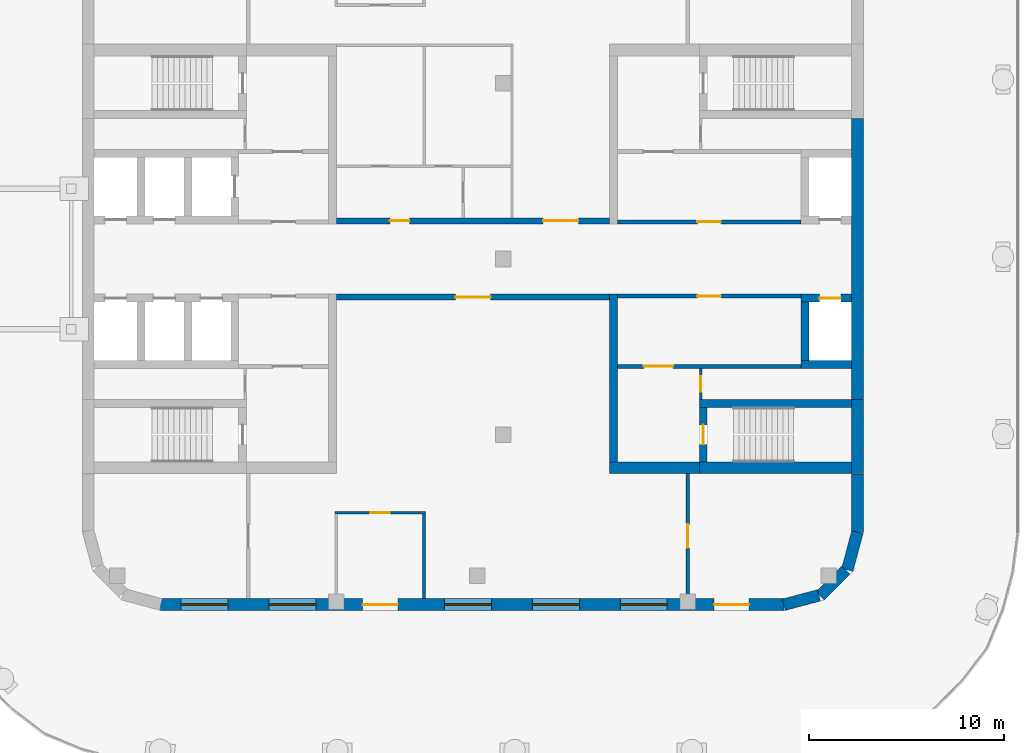
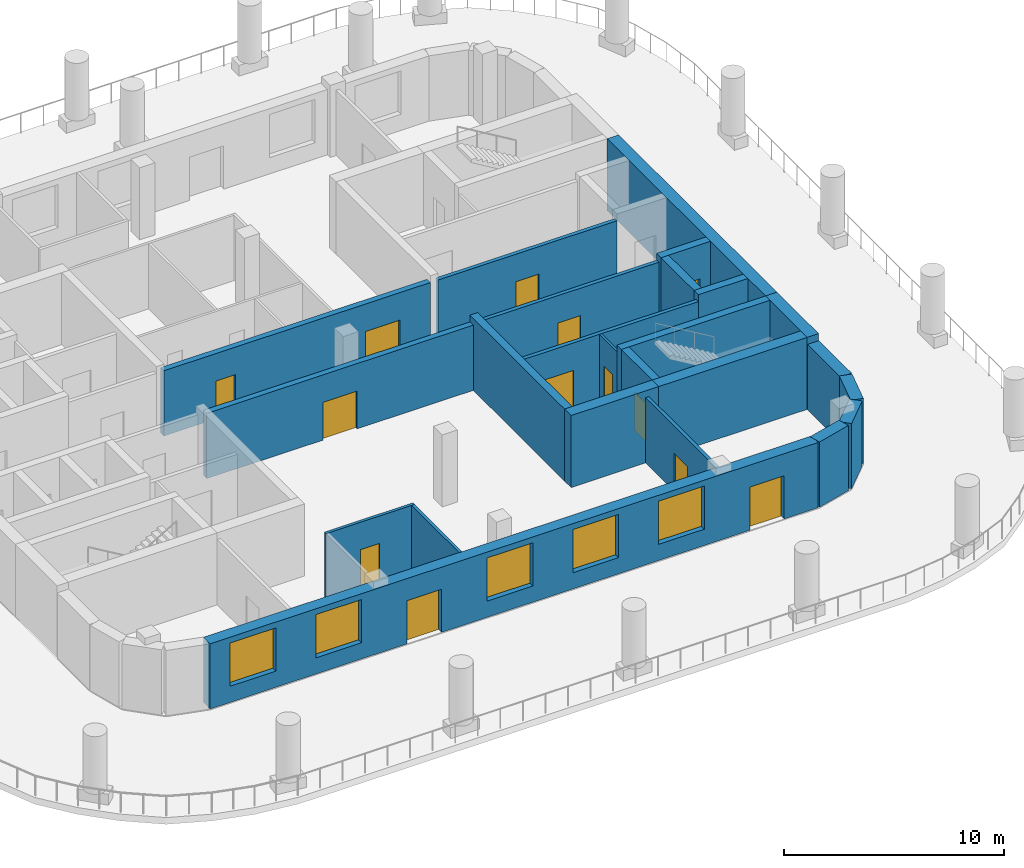
# One storey, part 10 of 18: 24 walls, 13 doors, 5 windows, 18 openings.
"""IFC4 building model written with IfcOpenShell, lengths in metres."""

from ifc_helpers import new_model, si_unit, direction, frame, frame_2d, origin, place, context, subcontext, project, spatial, rectangle, extrude, material, layer, layer_set, type_object, element, fill, save


model = new_model("IFC4")

# Units and contexts
model_context = context("Model", 3, precision=1e-05, world=origin(), true_north=direction((0.0, 1.0)))
body_context = subcontext(model_context, "Body", "Model", "MODEL_VIEW")
ifc_project = project(units=[si_unit("LENGTHUNIT", "METRE"), si_unit("AREAUNIT", "SQUARE_METRE"), si_unit("VOLUMEUNIT", "CUBIC_METRE"), si_unit("PLANEANGLEUNIT", "RADIAN"), si_unit("MASSUNIT", "GRAM", prefix="KILO")], contexts=[model_context])

# Site, building, storey
site_placement = place(None, origin())
site = spatial("IfcSite", under=ifc_project, at=site_placement, CompositionType="ELEMENT")
building_placement = place(site_placement, origin())
building = spatial("IfcBuilding", under=site, at=building_placement, Name="Skarvind Civic Tower", CompositionType="ELEMENT")
storey_placement = place(building_placement, frame((0.0, 0.0, 27.5)))
storey = spatial("IfcBuildingStorey", under=building, at=storey_placement, Name="L05", CompositionType="ELEMENT", Elevation=27.5)

# Wall, opening, door
ifc_material_1 = material(Name="Acoustic gypsum board on steel studs", Category="steel")
ifc_layer_1 = layer(ifc_material_1, 0.175048828125)
ifc_layer_set_1 = layer_set([ifc_layer_1], Name="ACOUSTIC MEETING-ROOM PARTITION 175")
wall_type_1 = type_object("IfcWallType", Name="ACOUSTIC MEETING-ROOM PARTITION 175", PredefinedType="PARTITIONING", material=ifc_layer_set_1)
wall_1_placement = place(storey_placement, frame((158.0, 110.60009765625, 0.0), z_axis=(0.0, 0.0, 1.0), x_axis=(0.0, 1.0, 0.0)))
wall_1 = element("IfcWall", 1, at=wall_1_placement, inside=storey, type_object=wall_type_1, Name="Partition 05.016", PredefinedType="PARTITIONING", context=body_context, shape_type="SweptSolid", body=[
    extrude(rectangle(XDim=6.39990234375, YDim=0.175048828125, at=frame_2d((3.199951171875, 0.0))), origin(), (0.0, 0.0, 1.0), 3.625),
])
opening_1_placement = place(wall_1_placement, frame((2.60009765625, 0.0, 0.0)))
opening_1 = element("IfcOpeningElement", 2, at=opening_1_placement, cuts=wall_1, Name="Opening L05-D112", PredefinedType="OPENING", context=body_context, shape_type="SweptSolid", body=[
    extrude(rectangle(XDim=1.199951171875, YDim=2.10009765625, at=frame_2d((0.60009765625, 1.050048828125))), frame((0.0, 0.097412109375, 0.0), z_axis=(0.0, -1.0, 0.0), x_axis=(1.0, 0.0, 0.0)), (0.0, 0.0, 1.0), 0.195068359375),
])
ifc_material_2 = material(Name="Timber door leaf", Category="wood")
door_type_1 = type_object("IfcDoorType", Name="DOOR 1200X2100 DOUBLE TIMBER", OperationType="NOTDEFINED", PredefinedType="DOOR", material=ifc_material_2)
door_1_placement = place(opening_1_placement, origin())
door_1 = element("IfcDoor", 3, at=door_1_placement, inside=storey, type_object=door_type_1, Name="Door L05-D112", OperationType="DOUBLE_DOOR_SINGLE_SWING", OverallHeight=2.10009765625, OverallWidth=1.199951171875, PredefinedType="DOOR", context=body_context, shape_type="SweptSolid", body=[
    extrude(rectangle(XDim=1.199951171875, YDim=2.10009765625, at=frame_2d((0.60009765625, 1.050048828125))), frame((0.0, 0.02490234375, 0.0), z_axis=(0.0, -1.0, 0.0), x_axis=(1.0, 0.0, 0.0)), (0.0, 0.0, 1.0), 0.050048828125),
])
fill(opening_1, door_1)

# Wall, openings, doors
ifc_material_3 = material(Name="Fire-rated gypsum board on steel studs", Category="steel")
ifc_layer_2 = layer(ifc_material_3, 0.300048828125)
ifc_layer_set_2 = layer_set([ifc_layer_2], Name="CORRIDOR WALL 300")
wall_type_2 = type_object("IfcWallType", Name="CORRIDOR WALL 300", PredefinedType="PARTITIONING", material=ifc_layer_set_2)
wall_2_placement = place(storey_placement, frame((140.0, 129.949951171875, 0.0), z_axis=(0.0, 0.0, 1.0), x_axis=(1.0, 0.0, 0.0)))
wall_2 = element("IfcWall", 4, at=wall_2_placement, inside=storey, type_object=wall_type_2, Name="Partition 05.005", PredefinedType="PARTITIONING", context=body_context, shape_type="SweptSolid", body=[
    extrude(rectangle(XDim=14.0, YDim=0.300048828125, at=frame_2d((7.0, 0.0))), origin(), (0.0, 0.0, 1.0), 3.625),
])
opening_2_placement = place(wall_2_placement, frame((2.75, 0.0, 0.0)))
opening_2 = element("IfcOpeningElement", 5, at=opening_2_placement, cuts=wall_2, Name="Opening L05-D101", PredefinedType="OPENING", context=body_context, shape_type="SweptSolid", body=[
    extrude(rectangle(XDim=1.0, YDim=2.10009765625, at=frame_2d((0.5, 1.050048828125))), frame((0.0, 0.159912109375, 0.0), z_axis=(0.0, -1.0, 0.0), x_axis=(1.0, 0.0, 0.0)), (0.0, 0.0, 1.0), 0.320068359375),
])
opening_3_placement = place(wall_2_placement, frame((10.60009765625, 0.0, 0.0)))
opening_3 = element("IfcOpeningElement", 6, at=opening_3_placement, cuts=wall_2, Name="Opening L05-D105", PredefinedType="OPENING", context=body_context, shape_type="SweptSolid", body=[
    extrude(rectangle(XDim=1.800048828125, YDim=2.10009765625, at=frame_2d((0.89990234375, 1.050048828125))), frame((0.0, 0.159912109375, 0.0), z_axis=(0.0, -1.0, 0.0), x_axis=(1.0, 0.0, 0.0)), (0.0, 0.0, 1.0), 0.320068359375),
])
ifc_material_4 = material(Name="Fire-rated timber door leaf", Category="wood")
door_type_2 = type_object("IfcDoorType", Name="FD1 1000x2100", OperationType="NOTDEFINED", PredefinedType="DOOR", material=ifc_material_4)
door_2_placement = place(opening_2_placement, origin())
door_2 = element("IfcDoor", 7, at=door_2_placement, inside=storey, type_object=door_type_2, Name="Door L05-D101", OperationType="SINGLE_SWING_LEFT", OverallHeight=2.10009765625, OverallWidth=1.0, PredefinedType="DOOR", context=body_context, shape_type="SweptSolid", body=[
    extrude(rectangle(XDim=1.0, YDim=2.10009765625, at=frame_2d((0.5, 1.050048828125))), frame((0.0, 0.02490234375, 0.0), z_axis=(0.0, -1.0, 0.0), x_axis=(1.0, 0.0, 0.0)), (0.0, 0.0, 1.0), 0.050048828125),
])
fill(opening_2, door_2)
door_type_3 = type_object("IfcDoorType", Name="FD4 1800x2100", OperationType="NOTDEFINED", PredefinedType="DOOR", material=ifc_material_4)
door_3_placement = place(opening_3_placement, origin())
door_3 = element("IfcDoor", 8, at=door_3_placement, inside=storey, type_object=door_type_3, Name="Door L05-D105", OperationType="DOUBLE_DOOR_SINGLE_SWING", OverallHeight=2.10009765625, OverallWidth=1.800048828125, PredefinedType="DOOR", context=body_context, shape_type="SweptSolid", body=[
    extrude(rectangle(XDim=1.800048828125, YDim=2.10009765625, at=frame_2d((0.89990234375, 1.050048828125))), frame((0.0, 0.02490234375, 0.0), z_axis=(0.0, -1.0, 0.0), x_axis=(1.0, 0.0, 0.0)), (0.0, 0.0, 1.0), 0.050048828125),
])
fill(opening_3, door_3)

# Wall, opening, door
wall_3_placement = place(storey_placement, frame((154.0, 126.050048828125, 0.0), z_axis=(0.0, 0.0, 1.0), x_axis=(-1.0, 0.0, 0.0)))
wall_3 = element("IfcWall", 9, at=wall_3_placement, inside=storey, type_object=wall_type_2, Name="Partition 05.015", PredefinedType="PARTITIONING", context=body_context, shape_type="SweptSolid", body=[
    extrude(rectangle(XDim=14.0, YDim=0.300048828125, at=frame_2d((7.0, 0.0))), origin(), (0.0, 0.0, 1.0), 3.625),
])
opening_4_placement = place(wall_3_placement, frame((6.10009765625, 0.0, 0.0)))
opening_4 = element("IfcOpeningElement", 10, at=opening_4_placement, cuts=wall_3, Name="Opening L05-D109", PredefinedType="OPENING", context=body_context, shape_type="SweptSolid", body=[
    extrude(rectangle(XDim=1.800048828125, YDim=2.10009765625, at=frame_2d((0.89990234375, 1.050048828125))), frame((0.0, 0.159912109375, 0.0), z_axis=(0.0, -1.0, 0.0), x_axis=(1.0, 0.0, 0.0)), (0.0, 0.0, 1.0), 0.320068359375),
])
door_4_placement = place(opening_4_placement, origin())
door_4 = element("IfcDoor", 11, at=door_4_placement, inside=storey, type_object=door_type_3, Name="Door L05-D109", OperationType="DOUBLE_DOOR_SINGLE_SWING", OverallHeight=2.10009765625, OverallWidth=1.800048828125, PredefinedType="DOOR", context=body_context, shape_type="SweptSolid", body=[
    extrude(rectangle(XDim=1.800048828125, YDim=2.10009765625, at=frame_2d((0.89990234375, 1.050048828125))), frame((0.0, 0.02490234375, 0.0), z_axis=(0.0, -1.0, 0.0), x_axis=(1.0, 0.0, 0.0)), (0.0, 0.0, 1.0), 0.050048828125),
])
fill(opening_4, door_4)

ifc_material_5 = material(Name="Fire-rated masonry partition", Category="masonry")
ifc_layer_3 = layer(ifc_material_5, 0.199951171875)
ifc_layer_set_3 = layer_set([ifc_layer_3], Name="Core enclosure wall 200")
wall_type_3 = type_object("IfcWallType", Name="Core enclosure wall 200", PredefinedType="PARTITIONING", material=ifc_layer_set_3)
wall_4_placement = place(storey_placement, frame((163.800048828125, 126.10009765625, 0.0), z_axis=(0.0, 0.0, 1.0), x_axis=(-1.0, 0.0, 0.0)))
wall_4 = element("IfcWall", 12, at=wall_4_placement, inside=storey, type_object=wall_type_3, Name="Core wall CB", PredefinedType="PARTITIONING", context=body_context, shape_type="SweptSolid", body=[
    extrude(rectangle(XDim=9.400146484375, YDim=0.199951171875, at=frame_2d((4.7001953125, 0.0))), origin(), (0.0, 0.0, 1.0), 3.625),
])
opening_5_placement = place(wall_4_placement, frame((4.10009765625, 0.0, 0.0)))
opening_5 = element("IfcOpeningElement", 13, at=opening_5_placement, cuts=wall_4, Name="Opening D-L05-CB-03", PredefinedType="OPENING", context=body_context, shape_type="SweptSolid", body=[
    extrude(rectangle(XDim=1.199951171875, YDim=2.10009765625, at=frame_2d((0.60009765625, 1.050048828125))), frame((0.0, 0.10986328125, 0.0), z_axis=(0.0, -1.0, 0.0), x_axis=(1.0, 0.0, 0.0)), (0.0, 0.0, 1.0), 0.219970703125),
])
ifc_material_6 = material(Name="Fire-rated steel door", Category="steel")
door_type_4 = type_object("IfcDoorType", Name="Core lobby door 1200", OperationType="NOTDEFINED", PredefinedType="DOOR", material=ifc_material_6)
door_5_placement = place(opening_5_placement, origin())
door_5 = element("IfcDoor", 14, at=door_5_placement, inside=storey, type_object=door_type_4, Name="Fire door", OperationType="DOUBLE_DOOR_SINGLE_SWING", OverallHeight=2.10009765625, OverallWidth=1.199951171875, PredefinedType="DOOR", context=body_context, shape_type="SweptSolid", body=[
    extrude(rectangle(XDim=1.199951171875, YDim=2.10009765625, at=frame_2d((0.60009765625, 1.050048828125))), frame((0.0, 0.02490234375, 0.0), z_axis=(0.0, -1.0, 0.0), x_axis=(1.0, 0.0, 0.0)), (0.0, 0.0, 1.0), 0.050048828125),
])
fill(opening_5, door_5)

wall_5_placement = place(storey_placement, frame((163.800048828125, 122.5, 0.0), z_axis=(0.0, 0.0, 1.0), x_axis=(-1.0, 0.0, 0.0)))
wall_5 = element("IfcWall", 15, at=wall_5_placement, inside=storey, type_object=wall_type_3, Name="Core wall CB", PredefinedType="PARTITIONING", context=body_context, shape_type="SweptSolid", body=[
    extrude(rectangle(XDim=9.400146484375, YDim=0.199951171875, at=frame_2d((4.7001953125, 0.0))), origin(), (0.0, 0.0, 1.0), 3.625),
])
opening_6_placement = place(wall_5_placement, frame((6.550048828125, 0.0, 0.0)))
opening_6 = element("IfcOpeningElement", 16, at=opening_6_placement, cuts=wall_5, Name="Opening D-L05-CB-04", PredefinedType="OPENING", context=body_context, shape_type="SweptSolid", body=[
    extrude(rectangle(XDim=1.5, YDim=2.10009765625, at=frame_2d((0.75, 1.050048828125))), frame((0.0, 0.10986328125, 0.0), z_axis=(0.0, -1.0, 0.0), x_axis=(1.0, 0.0, 0.0)), (0.0, 0.0, 1.0), 0.219970703125),
])
door_type_5 = type_object("IfcDoorType", Name="Fire door 1500", OperationType="NOTDEFINED", PredefinedType="DOOR", material=ifc_material_6)
door_6_placement = place(opening_6_placement, origin())
door_6 = element("IfcDoor", 17, at=door_6_placement, inside=storey, type_object=door_type_5, Name="Fire door", OperationType="DOUBLE_DOOR_SINGLE_SWING", OverallHeight=2.10009765625, OverallWidth=1.5, PredefinedType="DOOR", context=body_context, shape_type="SweptSolid", body=[
    extrude(rectangle(XDim=1.5, YDim=2.10009765625, at=frame_2d((0.75, 1.050048828125))), frame((0.0, 0.02490234375, 0.0), z_axis=(0.0, -1.0, 0.0), x_axis=(1.0, 0.0, 0.0)), (0.0, 0.0, 1.0), 0.050048828125),
])
fill(opening_6, door_6)

wall_6_placement = place(storey_placement, frame((154.39990234375, 129.89990234375, 0.0), z_axis=(0.0, 0.0, 1.0), x_axis=(1.0, 0.0, 0.0)))
wall_6 = element("IfcWall", 18, at=wall_6_placement, inside=storey, type_object=wall_type_3, Name="Core wall CB", PredefinedType="PARTITIONING", context=body_context, shape_type="SweptSolid", body=[
    extrude(rectangle(XDim=9.400146484375, YDim=0.199951171875, at=frame_2d((4.7001953125, 0.0))), origin(), (0.0, 0.0, 1.0), 3.625),
])
opening_7_placement = place(wall_6_placement, frame((4.10009765625, 0.0, 0.0)))
opening_7 = element("IfcOpeningElement", 19, at=opening_7_placement, cuts=wall_6, Name="Opening D-L05-CB-07", PredefinedType="OPENING", context=body_context, shape_type="SweptSolid", body=[
    extrude(rectangle(XDim=1.199951171875, YDim=2.10009765625, at=frame_2d((0.60009765625, 1.050048828125))), frame((0.0, 0.10986328125, 0.0), z_axis=(0.0, -1.0, 0.0), x_axis=(1.0, 0.0, 0.0)), (0.0, 0.0, 1.0), 0.219970703125),
])
door_7_placement = place(opening_7_placement, origin())
door_7 = element("IfcDoor", 20, at=door_7_placement, inside=storey, type_object=door_type_4, Name="Fire door", OperationType="DOUBLE_DOOR_SINGLE_SWING", OverallHeight=2.10009765625, OverallWidth=1.199951171875, PredefinedType="DOOR", context=body_context, shape_type="SweptSolid", body=[
    extrude(rectangle(XDim=1.199951171875, YDim=2.10009765625, at=frame_2d((0.60009765625, 1.050048828125))), frame((0.0, 0.02490234375, 0.0), z_axis=(0.0, -1.0, 0.0), x_axis=(1.0, 0.0, 0.0)), (0.0, 0.0, 1.0), 0.050048828125),
])
fill(opening_7, door_7)

# Wall
ifc_material_7 = material(Name="Concrete C80", Category="concrete")
ifc_layer_4 = layer(ifc_material_7, 0.39990234375)
ifc_layer_set_4 = layer_set([ifc_layer_4], Name="Core wall 400 C80")
wall_type_4 = type_object("IfcWallType", Name="Core wall 400 C80", PredefinedType="SHEAR", material=ifc_layer_set_4)
wall_7_placement = place(storey_placement, frame((166.39990234375, 120.60009765625, 0.0), z_axis=(0.0, 0.0, 1.0), x_axis=(-1.0, 0.0, 0.0)))
element("IfcWall", 21, at=wall_7_placement, inside=storey, type_object=wall_type_4, Name="Core wall CB north stair inner L05", PredefinedType="SHEAR", context=body_context, shape_type="SweptSolid", body=[
    extrude(rectangle(XDim=7.7998046875, YDim=0.39990234375, at=frame_2d((3.89990234375, 0.0))), origin(), (0.0, 0.0, 1.0), 4.0),
])

# Wall, opening, door
wall_8_placement = place(storey_placement, frame((158.800048828125, 120.39990234375, 0.0), z_axis=(0.0, 0.0, 1.0), x_axis=(0.0, -1.0, 0.0)))
wall_8 = element("IfcWall", 22, at=wall_8_placement, inside=storey, type_object=wall_type_4, Name="Core wall CB north stair end L05", PredefinedType="SHEAR", context=body_context, shape_type="SweptSolid", body=[
    extrude(rectangle(XDim=2.7998046875, YDim=0.39990234375, at=frame_2d((1.39990234375, 0.0))), origin(), (0.0, 0.0, 1.0), 4.0),
])
opening_8_placement = place(wall_8_placement, frame((0.89990234375, 0.0, 0.0)))
opening_8 = element("IfcOpeningElement", 23, at=opening_8_placement, cuts=wall_8, Name="Opening D-L05-CB-05", PredefinedType="OPENING", context=body_context, shape_type="SweptSolid", body=[
    extrude(rectangle(XDim=1.0, YDim=2.10009765625, at=frame_2d((0.5, 1.050048828125))), frame((0.0, 0.2099609375, 0.0), z_axis=(0.0, -1.0, 0.0), x_axis=(1.0, 0.0, 0.0)), (0.0, 0.0, 1.0), 0.419921875),
])
door_type_6 = type_object("IfcDoorType", Name="Fire door 1000", OperationType="NOTDEFINED", PredefinedType="DOOR", material=ifc_material_6)
door_8_placement = place(opening_8_placement, origin())
door_8 = element("IfcDoor", 24, at=door_8_placement, inside=storey, type_object=door_type_6, Name="Fire door", OperationType="SINGLE_SWING_LEFT", OverallHeight=2.10009765625, OverallWidth=1.0, PredefinedType="DOOR", context=body_context, shape_type="SweptSolid", body=[
    extrude(rectangle(XDim=1.0, YDim=2.10009765625, at=frame_2d((0.5, 1.050048828125))), frame((0.0, 0.02490234375, 0.0), z_axis=(0.0, -1.0, 0.0), x_axis=(1.0, 0.0, 0.0)), (0.0, 0.0, 1.0), 0.050048828125),
])
fill(opening_8, door_8)

wall_9_placement = place(storey_placement, frame((166.39990234375, 126.0, 0.0), z_axis=(0.0, 0.0, 1.0), x_axis=(-1.0, 0.0, 0.0)))
wall_9 = element("IfcWall", 25, at=wall_9_placement, inside=storey, type_object=wall_type_4, Name="Core wall CB north lift row front L05", PredefinedType="SHEAR", context=body_context, shape_type="SweptSolid", body=[
    extrude(rectangle(XDim=2.599853515625, YDim=0.39990234375, at=frame_2d((1.2998046875, 0.0))), origin(), (0.0, 0.0, 1.0), 4.0),
])
opening_9_placement = place(wall_9_placement, frame((0.550048828125, 0.0, 0.0)))
opening_9 = element("IfcOpeningElement", 26, at=opening_9_placement, cuts=wall_9, Name="Opening LD07401", PredefinedType="OPENING", context=body_context, shape_type="SweptSolid", body=[
    extrude(rectangle(XDim=1.10009765625, YDim=2.10009765625, at=frame_2d((0.550048828125, 1.050048828125))), frame((0.0, 0.2099609375, 0.0), z_axis=(0.0, -1.0, 0.0), x_axis=(1.0, 0.0, 0.0)), (0.0, 0.0, 1.0), 0.419921875),
])
ifc_material_8 = material(Name="Stainless steel landing door", Category="steel")
door_type_7 = type_object("IfcDoorType", Name="Lift landing door 1100", OperationType="DOUBLE_DOOR_SLIDING", PredefinedType="DOOR", material=ifc_material_8)
door_9_placement = place(opening_9_placement, origin())
door_9 = element("IfcDoor", 27, at=door_9_placement, inside=storey, type_object=door_type_7, Name="Lift landing door", OperationType="DOUBLE_DOOR_SLIDING", OverallHeight=2.10009765625, OverallWidth=1.10009765625, PredefinedType="DOOR", context=body_context, shape_type="SweptSolid", body=[
    extrude(rectangle(XDim=1.10009765625, YDim=2.10009765625, at=frame_2d((0.550048828125, 1.050048828125))), frame((0.0, 0.02490234375, 0.0), z_axis=(0.0, -1.0, 0.0), x_axis=(1.0, 0.0, 0.0)), (0.0, 0.0, 1.0), 0.050048828125),
])
fill(opening_9, door_9)

# Walls
wall_10_placement = place(storey_placement, frame((166.39990234375, 122.60009765625, 0.0), z_axis=(0.0, 0.0, 1.0), x_axis=(-1.0, 0.0, 0.0)))
element("IfcWall", 28, at=wall_10_placement, inside=storey, type_object=wall_type_4, Name="Core wall CB north lift row back L05", PredefinedType="SHEAR", context=body_context, shape_type="SweptSolid", body=[
    extrude(rectangle(XDim=2.599853515625, YDim=0.39990234375, at=frame_2d((1.2998046875, 0.0))), origin(), (0.0, 0.0, 1.0), 4.0),
])
wall_11_placement = place(storey_placement, frame((164.0, 125.800048828125, 0.0), z_axis=(0.0, 0.0, 1.0), x_axis=(0.0, -1.0, 0.0)))
element("IfcWall", 29, at=wall_11_placement, inside=storey, type_object=wall_type_4, Name="Core wall CB north lift row division 1 L05", PredefinedType="SHEAR", context=body_context, shape_type="SweptSolid", body=[
    extrude(rectangle(XDim=3.0, YDim=0.39990234375, at=frame_2d((1.5, 0.0))), origin(), (0.0, 0.0, 1.0), 4.0),
])
wall_12_placement = place(storey_placement, frame((154.199951171875, 126.199951171875, 0.0), z_axis=(0.0, 0.0, 1.0), x_axis=(0.0, -1.0, 0.0)))
element("IfcWall", 30, at=wall_12_placement, inside=storey, type_object=wall_type_4, Name="Core wall CB north inner face L05", PredefinedType="SHEAR", context=body_context, shape_type="SweptSolid", body=[
    extrude(rectangle(XDim=8.599853515625, YDim=0.39990234375, at=frame_2d((4.2998046875, 0.0))), origin(), (0.0, 0.0, 1.0), 4.0),
])
ifc_layer_5 = layer(ifc_material_7, 0.60009765625)
ifc_layer_set_5 = layer_set([ifc_layer_5], Name="Core wall 600 C80")
wall_type_5 = type_object("IfcWallType", Name="Core wall 600 C80", PredefinedType="SHEAR", material=ifc_layer_set_5)
wall_13_placement = place(storey_placement, frame((166.699951171875, 135.199951171875, 0.0), z_axis=(0.0, 0.0, 1.0), x_axis=(0.0, -1.0, 0.0)))
element("IfcWall", 31, at=wall_13_placement, inside=storey, type_object=wall_type_5, Name="Core wall CB tip between the stairs L05", PredefinedType="SHEAR", context=body_context, shape_type="SweptSolid", body=[
    extrude(rectangle(XDim=14.39990234375, YDim=0.60009765625, at=frame_2d((7.199951171875, 0.0))), origin(), (0.0, 0.0, 1.0), 4.0),
])
wall_14_placement = place(storey_placement, frame((166.699951171875, 120.800048828125, 0.0), z_axis=(0.0, 0.0, 1.0), x_axis=(0.0, -1.0, 0.0)))
element("IfcWall", 32, at=wall_14_placement, inside=storey, type_object=wall_type_5, Name="Core wall CB tip at the north stair L05", PredefinedType="SHEAR", context=body_context, shape_type="SweptSolid", body=[
    extrude(rectangle(XDim=3.800048828125, YDim=0.60009765625, at=frame_2d((1.89990234375, 0.0))), origin(), (0.0, 0.0, 1.0), 4.0),
])
wall_15_placement = place(storey_placement, frame((166.39990234375, 117.300048828125, 0.0), z_axis=(0.0, 0.0, 1.0), x_axis=(-1.0, 0.0, 0.0)))
element("IfcWall", 33, at=wall_15_placement, inside=storey, type_object=wall_type_5, Name="Core wall CB north side at the stair L05", PredefinedType="SHEAR", context=body_context, shape_type="SweptSolid", body=[
    extrude(rectangle(XDim=7.7998046875, YDim=0.60009765625, at=frame_2d((3.89990234375, 0.0))), origin(), (0.0, 0.0, 1.0), 4.0),
])
wall_16_placement = place(storey_placement, frame((158.60009765625, 117.300048828125, 0.0), z_axis=(0.0, 0.0, 1.0), x_axis=(-1.0, 0.0, 0.0)))
element("IfcWall", 34, at=wall_16_placement, inside=storey, type_object=wall_type_5, Name="Core wall CB north side L05", PredefinedType="SHEAR", context=body_context, shape_type="SweptSolid", body=[
    extrude(rectangle(XDim=4.60009765625, YDim=0.60009765625, at=frame_2d((2.300048828125, 0.0))), origin(), (0.0, 0.0, 1.0), 4.0),
])

# Wall, opening, door
ifc_material_9 = material(Name="Plasterboard partition on steel studs", Category="steel")
ifc_layer_6 = layer(ifc_material_9, 0.14990234375)
ifc_layer_set_6 = layer_set([ifc_layer_6], Name="PARTITION 150")
wall_type_6 = type_object("IfcWallType", Name="PARTITION 150", PredefinedType="PARTITIONING", material=ifc_layer_set_6)
wall_17_placement = place(storey_placement, frame((139.925048828125, 115.0, 0.0), z_axis=(0.0, 0.0, 1.0), x_axis=(1.0, 0.0, 0.0)))
wall_17 = element("IfcWall", 35, at=wall_17_placement, inside=storey, type_object=wall_type_6, Name="Partition 05.004", PredefinedType="PARTITIONING", context=body_context, shape_type="SweptSolid", body=[
    extrude(rectangle(XDim=4.64990234375, YDim=0.14990234375, at=frame_2d((2.324951171875, 0.0))), origin(), (0.0, 0.0, 1.0), 3.625),
])
opening_10_placement = place(wall_17_placement, frame((1.824951171875, 0.0, 0.0)))
opening_10 = element("IfcOpeningElement", 36, at=opening_10_placement, cuts=wall_17, Name="Opening L05-D110", PredefinedType="OPENING", context=body_context, shape_type="SweptSolid", body=[
    extrude(rectangle(XDim=1.0, YDim=2.10009765625, at=frame_2d((0.5, 1.050048828125))), frame((0.0, 0.0849609375, 0.0), z_axis=(0.0, -1.0, 0.0), x_axis=(1.0, 0.0, 0.0)), (0.0, 0.0, 1.0), 0.169921875),
])
door_type_8 = type_object("IfcDoorType", Name="D1 1000x2100", OperationType="NOTDEFINED", PredefinedType="DOOR", material=ifc_material_2)
door_10_placement = place(opening_10_placement, origin())
door_10 = element("IfcDoor", 37, at=door_10_placement, inside=storey, type_object=door_type_8, Name="Door L05-D110", OperationType="SINGLE_SWING_LEFT", OverallHeight=2.10009765625, OverallWidth=1.0, PredefinedType="DOOR", context=body_context, shape_type="SweptSolid", body=[
    extrude(rectangle(XDim=1.0, YDim=2.10009765625, at=frame_2d((0.5, 1.050048828125))), frame((0.0, 0.02490234375, 0.0), z_axis=(0.0, -1.0, 0.0), x_axis=(1.0, 0.0, 0.0)), (0.0, 0.0, 1.0), 0.050048828125),
])
fill(opening_10, door_10)

# Wall
wall_18_placement = place(storey_placement, frame((144.5, 114.925048828125, 0.0), z_axis=(0.0, 0.0, 1.0), x_axis=(0.0, -1.0, 0.0)))
element("IfcWall", 38, at=wall_18_placement, inside=storey, type_object=wall_type_6, Name="Partition 05.009", PredefinedType="PARTITIONING", context=body_context, shape_type="SweptSolid", body=[
    extrude(rectangle(XDim=4.324951171875, YDim=0.14990234375, at=frame_2d((2.16259765625, 0.0))), origin(), (0.0, 0.0, 1.0), 3.625),
])

# Wall, opening, door
ifc_layer_7 = layer(ifc_material_5, 0.125)
ifc_layer_set_7 = layer_set([ifc_layer_7], Name="Riser wall 125")
wall_type_7 = type_object("IfcWallType", Name="Riser wall 125", PredefinedType="PARTITIONING", material=ifc_layer_set_7)
wall_19_placement = place(storey_placement, frame((158.66259765625, 120.800048828125, 0.0), z_axis=(0.0, 0.0, 1.0), x_axis=(0.0, 1.0, 0.0)))
wall_19 = element("IfcWall", 39, at=wall_19_placement, inside=storey, type_object=wall_type_7, Name="Core wall CB", PredefinedType="PARTITIONING", context=body_context, shape_type="SweptSolid", body=[
    extrude(rectangle(XDim=1.599853515625, YDim=0.125, at=frame_2d((0.7998046875, 0.0))), origin(), (0.0, 0.0, 1.0), 3.625),
])
opening_11_placement = place(wall_19_placement, frame((0.39990234375, 0.0, 0.0)))
opening_11 = element("IfcOpeningElement", 40, at=opening_11_placement, cuts=wall_19, Name="Opening D-L05-CB-06", PredefinedType="OPENING", context=body_context, shape_type="SweptSolid", body=[
    extrude(rectangle(XDim=0.800048828125, YDim=2.10009765625, at=frame_2d((0.39990234375, 1.050048828125))), frame((0.0, 0.072509765625, 0.0), z_axis=(0.0, -1.0, 0.0), x_axis=(1.0, 0.0, 0.0)), (0.0, 0.0, 1.0), 0.14501953125),
])
door_type_9 = type_object("IfcDoorType", Name="Core riser door 800", OperationType="NOTDEFINED", PredefinedType="DOOR", material=ifc_material_6)
door_11_placement = place(opening_11_placement, origin())
door_11 = element("IfcDoor", 41, at=door_11_placement, inside=storey, type_object=door_type_9, Name="Riser door", OperationType="SINGLE_SWING_RIGHT", OverallHeight=2.10009765625, OverallWidth=0.800048828125, PredefinedType="DOOR", context=body_context, shape_type="SweptSolid", body=[
    extrude(rectangle(XDim=0.800048828125, YDim=2.10009765625, at=frame_2d((0.39990234375, 1.050048828125))), frame((0.0, 0.02490234375, 0.0), z_axis=(0.0, -1.0, 0.0), x_axis=(1.0, 0.0, 0.0)), (0.0, 0.0, 1.0), 0.050048828125),
])
fill(opening_11, door_11)

# Wall, openings, doors, windows
ifc_material_10 = material(Name="Limestone masonry cladding on insulated backing", Category="masonry")
ifc_layer_8 = layer(ifc_material_10, 0.60009765625)
ifc_layer_set_8 = layer_set([ifc_layer_8], Name="WX1 STONE FACADE WALL 600")
wall_type_8 = type_object("IfcWallType", Name="WX1 STONE FACADE WALL 600", PredefinedType="SOLIDWALL", material=ifc_layer_set_8)
wall_20_placement = place(storey_placement, frame((162.929931640625, 110.300048828125, 0.0), z_axis=(0.0, 0.0, 1.0), x_axis=(-1.0, 0.0, 0.0)))
wall_20 = element("IfcWall", 42, at=wall_20_placement, inside=storey, type_object=wall_type_8, Name="STONE FACADE WALL", PredefinedType="SOLIDWALL", context=body_context, shape_type="SweptSolid", body=[
    extrude(rectangle(XDim=31.929931640625, YDim=0.60009765625, at=frame_2d((15.96484375, 0.0))), origin(), (0.0, 0.0, 1.0), 3.625),
])
opening_12_placement = place(wall_20_placement, frame((1.780029296875, 0.0, 0.0)))
opening_12 = element("IfcOpeningElement", 43, at=opening_12_placement, cuts=wall_20, Name="Opening DX3", PredefinedType="OPENING", context=body_context, shape_type="SweptSolid", body=[
    extrude(rectangle(XDim=1.800048828125, YDim=2.39990234375, at=frame_2d((0.89990234375, 1.199951171875))), frame((0.0, 0.31005859375, 0.0), z_axis=(0.0, -1.0, 0.0), x_axis=(1.0, 0.0, 0.0)), (0.0, 0.0, 1.0), 0.6201171875),
])
opening_13_placement = place(wall_20_placement, frame((5.97998046875, 0.0, 0.89990234375)))
opening_13 = element("IfcOpeningElement", 44, at=opening_13_placement, cuts=wall_20, Name="Opening WN9", PredefinedType="OPENING", context=body_context, shape_type="SweptSolid", body=[
    extrude(rectangle(XDim=2.39990234375, YDim=2.39990234375, at=frame_2d((1.199951171875, 1.199951171875))), frame((0.0, 0.31005859375, 0.0), z_axis=(0.0, -1.0, 0.0), x_axis=(1.0, 0.0, 0.0)), (0.0, 0.0, 1.0), 0.6201171875),
])
opening_14_placement = place(wall_20_placement, frame((10.47998046875, 0.0, 0.89990234375)))
opening_14 = element("IfcOpeningElement", 45, at=opening_14_placement, cuts=wall_20, Name="Opening WN9", PredefinedType="OPENING", context=body_context, shape_type="SweptSolid", body=[
    extrude(rectangle(XDim=2.39990234375, YDim=2.39990234375, at=frame_2d((1.199951171875, 1.199951171875))), frame((0.0, 0.31005859375, 0.0), z_axis=(0.0, -1.0, 0.0), x_axis=(1.0, 0.0, 0.0)), (0.0, 0.0, 1.0), 0.6201171875),
])
opening_15_placement = place(wall_20_placement, frame((14.97998046875, 0.0, 0.89990234375)))
opening_15 = element("IfcOpeningElement", 46, at=opening_15_placement, cuts=wall_20, Name="Opening WN9", PredefinedType="OPENING", context=body_context, shape_type="SweptSolid", body=[
    extrude(rectangle(XDim=2.39990234375, YDim=2.39990234375, at=frame_2d((1.199951171875, 1.199951171875))), frame((0.0, 0.31005859375, 0.0), z_axis=(0.0, -1.0, 0.0), x_axis=(1.0, 0.0, 0.0)), (0.0, 0.0, 1.0), 0.6201171875),
])
opening_16_placement = place(wall_20_placement, frame((19.780029296875, 0.0, 0.0)))
opening_16 = element("IfcOpeningElement", 47, at=opening_16_placement, cuts=wall_20, Name="Opening DX3", PredefinedType="OPENING", context=body_context, shape_type="SweptSolid", body=[
    extrude(rectangle(XDim=1.800048828125, YDim=2.39990234375, at=frame_2d((0.89990234375, 1.199951171875))), frame((0.0, 0.31005859375, 0.0), z_axis=(0.0, -1.0, 0.0), x_axis=(1.0, 0.0, 0.0)), (0.0, 0.0, 1.0), 0.6201171875),
])
opening_17_placement = place(wall_20_placement, frame((23.97998046875, 0.0, 0.89990234375)))
opening_17 = element("IfcOpeningElement", 48, at=opening_17_placement, cuts=wall_20, Name="Opening WN9", PredefinedType="OPENING", context=body_context, shape_type="SweptSolid", body=[
    extrude(rectangle(XDim=2.39990234375, YDim=2.39990234375, at=frame_2d((1.199951171875, 1.199951171875))), frame((0.0, 0.31005859375, 0.0), z_axis=(0.0, -1.0, 0.0), x_axis=(1.0, 0.0, 0.0)), (0.0, 0.0, 1.0), 0.6201171875),
])
opening_18_placement = place(wall_20_placement, frame((28.47998046875, 0.0, 0.89990234375)))
opening_18 = element("IfcOpeningElement", 49, at=opening_18_placement, cuts=wall_20, Name="Opening WN9", PredefinedType="OPENING", context=body_context, shape_type="SweptSolid", body=[
    extrude(rectangle(XDim=2.39990234375, YDim=2.39990234375, at=frame_2d((1.199951171875, 1.199951171875))), frame((0.0, 0.31005859375, 0.0), z_axis=(0.0, -1.0, 0.0), x_axis=(1.0, 0.0, 0.0)), (0.0, 0.0, 1.0), 0.6201171875),
])
ifc_material_11 = material(Name="Timber and glass doorset", Category="wood")
door_type_10 = type_object("IfcDoorType", Name="DX3 TERRACE DOORS 1800 x 2400", OperationType="NOTDEFINED", PredefinedType="DOOR", material=ifc_material_11)
door_12_placement = place(opening_12_placement, origin())
door_12 = element("IfcDoor", 50, at=door_12_placement, inside=storey, type_object=door_type_10, Name="TERRACE DOORS", OperationType="DOUBLE_DOOR_SINGLE_SWING", OverallHeight=2.39990234375, OverallWidth=1.800048828125, PredefinedType="DOOR", context=body_context, shape_type="SweptSolid", body=[
    extrude(rectangle(XDim=1.800048828125, YDim=2.39990234375, at=frame_2d((0.89990234375, 1.199951171875))), frame((0.0, 0.02490234375, 0.0), z_axis=(0.0, -1.0, 0.0), x_axis=(1.0, 0.0, 0.0)), (0.0, 0.0, 1.0), 0.050048828125),
])
fill(opening_12, door_12)
door_13_placement = place(opening_16_placement, origin())
door_13 = element("IfcDoor", 51, at=door_13_placement, inside=storey, type_object=door_type_10, Name="TERRACE DOORS", OperationType="DOUBLE_DOOR_SINGLE_SWING", OverallHeight=2.39990234375, OverallWidth=1.800048828125, PredefinedType="DOOR", context=body_context, shape_type="SweptSolid", body=[
    extrude(rectangle(XDim=1.800048828125, YDim=2.39990234375, at=frame_2d((0.89990234375, 1.199951171875))), frame((0.0, 0.02490234375, 0.0), z_axis=(0.0, -1.0, 0.0), x_axis=(1.0, 0.0, 0.0)), (0.0, 0.0, 1.0), 0.050048828125),
])
fill(opening_16, door_13)
ifc_material_12 = material(Name="Timber frame, double glazing, timber-lined reveal", Category="wood")
window_type = type_object("IfcWindowType", Name="WN9 COMPANION TOWER WINDOW 2400 x 2400", PartitioningType="SINGLE_PANEL", PredefinedType="WINDOW", material=ifc_material_12)
window_1_placement = place(opening_13_placement, origin())
window_1 = element("IfcWindow", 52, at=window_1_placement, inside=storey, type_object=window_type, Name="WN9 WINDOW", OverallHeight=2.39990234375, OverallWidth=2.39990234375, PartitioningType="SINGLE_PANEL", PredefinedType="WINDOW", context=body_context, shape_type="SweptSolid", body=[
    extrude(rectangle(XDim=2.39990234375, YDim=2.39990234375, at=frame_2d((1.199951171875, 1.199951171875))), frame((0.0, 0.030029296875, 0.0), z_axis=(0.0, -1.0, 0.0), x_axis=(1.0, 0.0, 0.0)), (0.0, 0.0, 1.0), 0.06005859375),
])
fill(opening_13, window_1)
window_2_placement = place(opening_14_placement, origin())
window_2 = element("IfcWindow", 53, at=window_2_placement, inside=storey, type_object=window_type, Name="WN9 WINDOW", OverallHeight=2.39990234375, OverallWidth=2.39990234375, PartitioningType="SINGLE_PANEL", PredefinedType="WINDOW", context=body_context, shape_type="SweptSolid", body=[
    extrude(rectangle(XDim=2.39990234375, YDim=2.39990234375, at=frame_2d((1.199951171875, 1.199951171875))), frame((0.0, 0.030029296875, 0.0), z_axis=(0.0, -1.0, 0.0), x_axis=(1.0, 0.0, 0.0)), (0.0, 0.0, 1.0), 0.06005859375),
])
fill(opening_14, window_2)
window_3_placement = place(opening_15_placement, origin())
window_3 = element("IfcWindow", 54, at=window_3_placement, inside=storey, type_object=window_type, Name="WN9 WINDOW", OverallHeight=2.39990234375, OverallWidth=2.39990234375, PartitioningType="SINGLE_PANEL", PredefinedType="WINDOW", context=body_context, shape_type="SweptSolid", body=[
    extrude(rectangle(XDim=2.39990234375, YDim=2.39990234375, at=frame_2d((1.199951171875, 1.199951171875))), frame((0.0, 0.030029296875, 0.0), z_axis=(0.0, -1.0, 0.0), x_axis=(1.0, 0.0, 0.0)), (0.0, 0.0, 1.0), 0.06005859375),
])
fill(opening_15, window_3)
window_4_placement = place(opening_17_placement, origin())
window_4 = element("IfcWindow", 55, at=window_4_placement, inside=storey, type_object=window_type, Name="WN9 WINDOW", OverallHeight=2.39990234375, OverallWidth=2.39990234375, PartitioningType="SINGLE_PANEL", PredefinedType="WINDOW", context=body_context, shape_type="SweptSolid", body=[
    extrude(rectangle(XDim=2.39990234375, YDim=2.39990234375, at=frame_2d((1.199951171875, 1.199951171875))), frame((0.0, 0.030029296875, 0.0), z_axis=(0.0, -1.0, 0.0), x_axis=(1.0, 0.0, 0.0)), (0.0, 0.0, 1.0), 0.06005859375),
])
fill(opening_17, window_4)
window_5_placement = place(opening_18_placement, origin())
window_5 = element("IfcWindow", 56, at=window_5_placement, inside=storey, type_object=window_type, Name="WN9 WINDOW", OverallHeight=2.39990234375, OverallWidth=2.39990234375, PartitioningType="SINGLE_PANEL", PredefinedType="WINDOW", context=body_context, shape_type="SweptSolid", body=[
    extrude(rectangle(XDim=2.39990234375, YDim=2.39990234375, at=frame_2d((1.199951171875, 1.199951171875))), frame((0.0, 0.030029296875, 0.0), z_axis=(0.0, -1.0, 0.0), x_axis=(1.0, 0.0, 0.0)), (0.0, 0.0, 1.0), 0.06005859375),
])
fill(opening_18, window_5)

# Walls
for number, where, z_axis, x_axis, name in (
    (57, (164.719482421875, 110.771240234375, 0.0), (0.0, 0.0, 1.0), (-0.965938094805, -0.258773254036, 0.0), "STONE FACADE WALL"),
    (58, (166.103515625, 112.063720703125, 0.0), (0.0, 0.0, 1.0), (-0.707106781187, -0.707106781187, 0.0), "STONE FACADE WALL"),
):
    element("IfcWall", number, at=place(storey_placement, frame(where, z_axis=z_axis, x_axis=x_axis)), inside=storey, type_object=wall_type_8, Name=name, PredefinedType="SOLIDWALL", context=body_context, shape_type="SweptSolid", body=[
        extrude(rectangle(XDim=1.860595703125, YDim=0.60009765625, at=frame_2d((0.93017578125, 0.0))), origin(), (0.0, 0.0, 1.0), 3.625),
    ])
wall_21_placement = place(storey_placement, frame((166.692138671875, 114.010009765625, 0.0), z_axis=(0.0, 0.0, 1.0), x_axis=(-0.258839784042, -0.965920269068, 0.0)))
element("IfcWall", 59, at=wall_21_placement, inside=storey, type_object=wall_type_8, Name="STONE FACADE WALL", PredefinedType="SOLIDWALL", context=body_context, shape_type="SweptSolid", body=[
    extrude(rectangle(XDim=2.00048828125, YDim=0.60009765625, at=frame_2d((1.000244140625, 0.0))), origin(), (0.0, 0.0, 1.0), 3.625),
])
wall_22_placement = place(storey_placement, frame((166.699951171875, 116.97998046875, 0.0), z_axis=(0.0, 0.0, 1.0), x_axis=(0.0, -1.0, 0.0)))
element("IfcWall", 60, at=wall_22_placement, inside=storey, type_object=wall_type_8, Name="STONE FACADE WALL", PredefinedType="SOLIDWALL", context=body_context, shape_type="SweptSolid", body=[
    extrude(rectangle(XDim=2.97998046875, YDim=0.60009765625, at=frame_2d((1.489990234375, 0.0))), origin(), (0.0, 0.0, 1.0), 3.625),
])

save(model, "model.ifc")
